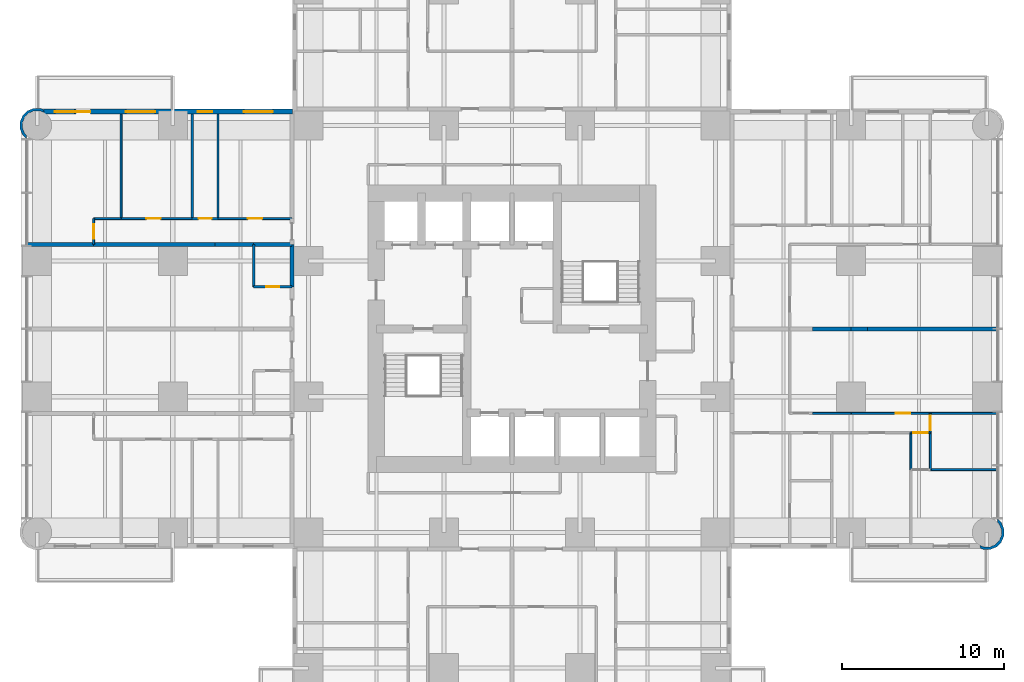
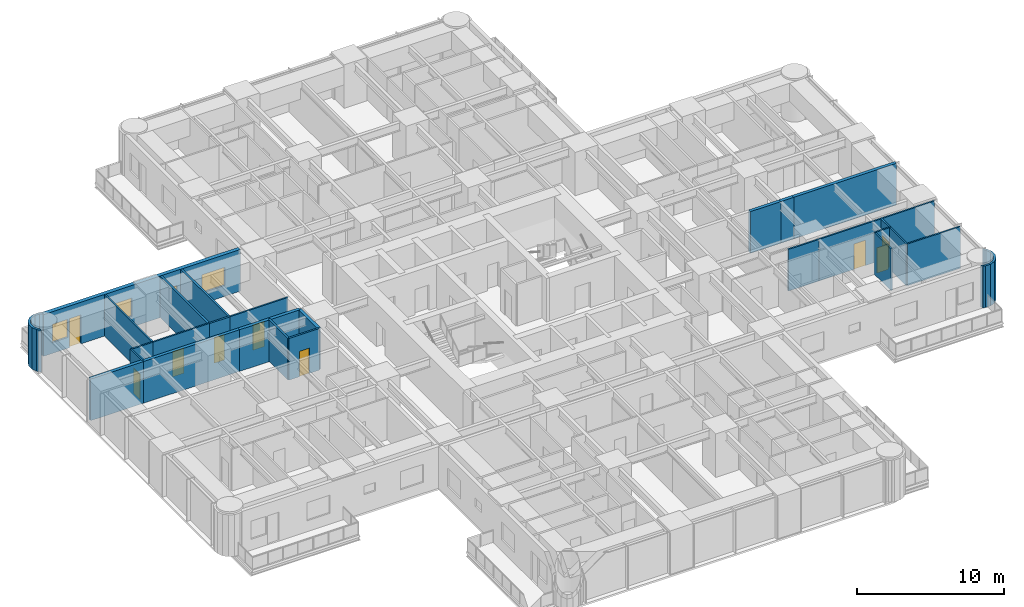
# One storey, part 11 of 17: 29 walls, 9 doors, 4 windows, 13 openings.
"""IFC4 building model written with IfcOpenShell, lengths in metres."""

import ifcopenshell
import ifcopenshell.guid

model = None  # the IFC model being written
_history = None  # IfcOwnerHistory: only IFC2X3 demands one
_inside = {}  # id of a spatial element -> (the spatial element, [elements in it])
_under = {}  # id of a project, library or spatial element -> (it, [spatial elements below it])
_declared = {}  # id of a project -> (the project, [libraries it declares])
_typed = {}  # id of a type object -> (the type object, [elements of that type])
_made_of = {}  # id of a material, layer set ... -> (it, [elements and type objects made of it])


def new_model(schema):
    """Start an empty IFC model of exactly this schema.

    Asked for "IFC4X3", IfcOpenShell would pick the latest addendum, in which some entities
    have other attributes; the version numbers below select the first issue.
    IFC2X3 requires an IfcOwnerHistory on every rooted entity: one is made here for all.
    """
    global model, _history
    if schema == "IFC4X3":
        model = ifcopenshell.file(schema_version=(4, 3, 0, 0))
    else:
        model = ifcopenshell.file(schema=schema)
    _inside.clear()
    _under.clear()
    _declared.clear()
    _typed.clear()
    _made_of.clear()
    _history = None
    if model.schema == "IFC2X3":
        org = make("IfcOrganization", Name="unknown")
        user = make(
            "IfcPersonAndOrganization",
            ThePerson=make("IfcPerson", FamilyName="unknown"),
            TheOrganization=org,
        )
        app = make(
            "IfcApplication",
            ApplicationDeveloper=org,
            Version="unknown",
            ApplicationFullName="unknown",
            ApplicationIdentifier="unknown",
        )
        _history = make(
            "IfcOwnerHistory",
            OwningUser=user,
            OwningApplication=app,
            ChangeAction="ADDED",
            CreationDate=0,
        )
    return model


def make(cls, **values):
    """One entity of the class cls with the attributes given. An attribute that is None is left unset."""
    return model.create_entity(
        cls, **{name: value for name, value in values.items() if value is not None}
    )


def rooted(cls, **values):
    """An entity with a GlobalId (a new one), such as an element, a storey or a relation."""
    return make(cls, GlobalId=ifcopenshell.guid.new(), OwnerHistory=_history, **values)


def si_unit(unit_type, name, prefix=None):
    """IfcSIUnit, for example si_unit("LENGTHUNIT", "METRE", prefix="MILLI")."""
    return make("IfcSIUnit", UnitType=unit_type, Prefix=prefix, Name=name)


def assignment(units):
    """IfcUnitAssignment: the units of a project."""
    return None if units is None else make("IfcUnitAssignment", Units=units)


def point(xyz):
    """IfcCartesianPoint."""
    return None if xyz is None else make("IfcCartesianPoint", Coordinates=xyz)


def direction(xyz):
    """IfcDirection."""
    return None if xyz is None else make("IfcDirection", DirectionRatios=xyz)


def frame(location, z_axis=None, x_axis=None):
    """IfcAxis2Placement3D, a coordinate frame: its origin and axes. An axis left out is left unset."""
    return make(
        "IfcAxis2Placement3D",
        Location=point(location),
        Axis=direction(z_axis),
        RefDirection=direction(x_axis),
    )


def frame_2d(location, x_axis=None):
    """IfcAxis2Placement2D, a coordinate frame in the plane: its origin and x axis."""
    return make(
        "IfcAxis2Placement2D", Location=point(location), RefDirection=direction(x_axis)
    )


def origin():
    """The frame at (0, 0, 0) with its axes left unset."""
    return frame((0.0, 0.0, 0.0))


def place(relative_to, where):
    """IfcLocalPlacement: puts the frame where relative to a parent placement (None: the world)."""
    return make(
        "IfcLocalPlacement", PlacementRelTo=relative_to, RelativePlacement=where
    )


def context(
    kind, dimensions, precision=None, world=None, true_north=None, identifier=None
):
    """IfcGeometricRepresentationContext, for example the 3D "Model" context."""
    return make(
        "IfcGeometricRepresentationContext",
        ContextIdentifier=identifier,
        ContextType=kind,
        CoordinateSpaceDimension=dimensions,
        Precision=precision,
        WorldCoordinateSystem=world,
        TrueNorth=true_north,
    )


def subcontext(parent, identifier, kind, view, scale=None):
    """IfcGeometricRepresentationSubContext, for example "Body" below "Model"."""
    return make(
        "IfcGeometricRepresentationSubContext",
        ContextIdentifier=identifier,
        ContextType=kind,
        ParentContext=parent,
        TargetScale=scale,
        TargetView=view,
    )


def project(units=None, contexts=None):
    """IfcProject with its units and contexts."""
    return rooted(
        "IfcProject",
        Name="project",
        RepresentationContexts=contexts,
        UnitsInContext=assignment(units),
    )


def spatial(cls, under=None, at=None, **own):
    """A site, building, storey or space (cls), placed at a placement, below another one or the project."""
    s = rooted(cls, ObjectPlacement=at, **own)
    if under is not None:
        _under.setdefault(under.id(), (under, []))[1].append(s)
    return s


def polyline(points):
    """IfcPolyline through the points."""
    return make("IfcPolyline", Points=[point(p) for p in points])


def profile(cls, at=None, kind="AREA", **sizes):
    """A parametric profile (cls). Its sizes go by their IFC names, for example OverallWidth=200.0."""
    return make(cls, ProfileType=kind, Position=at, **sizes)


def rectangle(**sizes):
    """IfcRectangleProfileDef."""
    return profile("IfcRectangleProfileDef", **sizes)


def outline(outer, holes=None, kind="AREA"):
    """IfcArbitraryClosedProfileDef: a profile drawn as a closed curve; with holes, ...WithVoids."""
    if holes is None:
        return make("IfcArbitraryClosedProfileDef", ProfileType=kind, OuterCurve=outer)
    return make(
        "IfcArbitraryProfileDefWithVoids",
        ProfileType=kind,
        OuterCurve=outer,
        InnerCurves=holes,
    )


def extrude(swept, where, along, depth):
    """IfcExtrudedAreaSolid: the profile swept, set in the frame where, extruded along a direction by depth."""
    return make(
        "IfcExtrudedAreaSolid",
        SweptArea=swept,
        Position=where,
        ExtrudedDirection=direction(along),
        Depth=depth,
    )


def shape(context_of_items, identifier, shape_type, items):
    """IfcShapeRepresentation: the items that make up one representation, for example the "Body"."""
    return make(
        "IfcShapeRepresentation",
        ContextOfItems=context_of_items,
        RepresentationIdentifier=identifier,
        RepresentationType=shape_type,
        Items=items,
    )


def material(Name=None, Category=None):
    """IfcMaterial."""
    return make("IfcMaterial", Name=Name, Category=Category)


def layer(
    of_material, thickness, ventilated=None, Name=None, Category=None, Priority=None
):
    """IfcMaterialLayer: one layer of a wall or slab, of a material (None: an air gap)."""
    return make(
        "IfcMaterialLayer",
        Material=of_material,
        LayerThickness=thickness,
        IsVentilated=ventilated,
        Name=Name,
        Category=Category,
        Priority=Priority,
    )


def layer_set(layers, Name=None):
    """IfcMaterialLayerSet."""
    return make("IfcMaterialLayerSet", MaterialLayers=layers, LayerSetName=Name)


def made_of(thing, what):
    """Note that an element or type object is made of a material, layer set ...; save() writes the relation."""
    if what is not None:
        _made_of.setdefault(what.id(), (what, []))[1].append(thing)
    return thing


def type_object(cls, material=None, **own):
    """A type object (cls), such as IfcWallType, which elements share."""
    return made_of(rooted(cls, **own), material)


def element(
    cls,
    number,
    at=None,
    inside=None,
    cuts=None,
    type_object=None,
    material=None,
    context=None,
    identifier="Body",
    shape_type=None,
    held_by="IfcProductDefinitionShape",
    body=None,
    shapes=None,
    **own,
):
    """One element of the class cls, such as IfcWall. Its Tag is "e" and its number.

    at: its placement. inside: the storey or other place that contains it. cuts: it is an
    opening in that element (IfcRelVoidsElement). A single representation is given by context,
    identifier, shape_type and body (its items); several are given by shapes. held_by: the class
    of the entity that holds the representations. save() writes the other relations.
    """
    e = rooted(cls, Tag="e%d" % number, ObjectPlacement=at, **own)
    if body is not None:
        shapes = [shape(context, identifier, shape_type, body)]
    if shapes is not None:
        e.Representation = make(held_by, Representations=shapes)
    if inside is not None:
        _inside.setdefault(inside.id(), (inside, []))[1].append(e)
    if cuts is not None:
        rooted(
            "IfcRelVoidsElement", RelatingBuildingElement=cuts, RelatedOpeningElement=e
        )
    if type_object is not None:
        _typed.setdefault(type_object.id(), (type_object, []))[1].append(e)
    return made_of(e, material)


def fill(opening, filler):
    """IfcRelFillsElement: the door or window that sits in an opening."""
    return rooted(
        "IfcRelFillsElement",
        RelatingOpeningElement=opening,
        RelatedBuildingElement=filler,
    )


def aggregate(whole, parts):
    """IfcRelAggregates: a whole, such as a stair, and the parts it consists of."""
    return rooted("IfcRelAggregates", RelatingObject=whole, RelatedObjects=parts)


def save(model, path):
    """Write the relations noted so far, then the file.

    IfcRelAggregates (storeys below a building ...), IfcRelContainedInSpatialStructure (elements
    in a storey), IfcRelDefinesByType, IfcRelAssociatesMaterial and IfcRelDeclares: one each for
    every whole, place, type object, material and project.
    """
    for whole, parts in _under.values():
        aggregate(whole, parts)
    for where, things in _inside.values():
        rooted(
            "IfcRelContainedInSpatialStructure",
            RelatedElements=things,
            RelatingStructure=where,
        )
    for kind, things in _typed.values():
        rooted("IfcRelDefinesByType", RelatedObjects=things, RelatingType=kind)
    for what, things in _made_of.values():
        rooted("IfcRelAssociatesMaterial", RelatedObjects=things, RelatingMaterial=what)
    for by, libraries in _declared.values():
        rooted("IfcRelDeclares", RelatingContext=by, RelatedDefinitions=libraries)
    model.write(path)


model = new_model("IFC4")

# Units and contexts
model_context = context("Model", 3, precision=1e-05, world=origin(), true_north=direction((0.0, 1.0)))
body_context = subcontext(model_context, "Body", "Model", "MODEL_VIEW")
ifc_project = project(units=[si_unit("LENGTHUNIT", "METRE"), si_unit("AREAUNIT", "SQUARE_METRE"), si_unit("VOLUMEUNIT", "CUBIC_METRE"), si_unit("PLANEANGLEUNIT", "RADIAN"), si_unit("MASSUNIT", "GRAM", prefix="KILO")], contexts=[model_context])

# Site, building, storey
site_placement = place(None, origin())
site = spatial("IfcSite", under=ifc_project, at=site_placement, CompositionType="ELEMENT")
building_placement = place(site_placement, origin())
building = spatial("IfcBuilding", under=site, at=building_placement, Name="Torre Alcanfor", CompositionType="ELEMENT")
storey_placement = place(building_placement, frame((0.0, 0.0, 77.699951171875)))
storey = spatial("IfcBuildingStorey", under=building, at=storey_placement, Name="L19", CompositionType="ELEMENT", Elevation=77.699951171875)

# Walls
ifc_material_1 = material(Name="Concrete block masonry, hollow blocks NMX-C-404 9 MPa", Category="masonry")
ifc_layer_1 = layer(ifc_material_1, 0.25)
ifc_layer_set_1 = layer_set([ifc_layer_1], Name="Apartment entrance wall 250 EI 60")
wall_type_1 = type_object("IfcWallType", Name="Apartment entrance wall 250 EI 60", PredefinedType="PARTITIONING", material=ifc_layer_set_1)
wall_1_placement = place(storey_placement, frame((15.77490234375, 32.0, 0.0), z_axis=(0.0, 0.0, 1.0), x_axis=(0.0, 1.0, 0.0)))
element("IfcWall", 1, at=wall_1_placement, inside=storey, type_object=wall_type_1, Name="Partition L19-CORR / L19-W2A-BATH", PredefinedType="PARTITIONING", context=body_context, shape_type="SweptSolid", body=[
    extrude(rectangle(XDim=2.62890625, YDim=0.25, at=frame_2d((1.314453125, 0.0))), origin(), (0.0, 0.0, 1.0), 3.449951171875),
])
ifc_material_2 = material(Name="Gypsum board on steel studs", Category="steel")
ifc_layer_2 = layer(ifc_material_2, 0.1201171875)
ifc_layer_set_2 = layer_set([ifc_layer_2], Name="Apartment partition 120")
wall_type_2 = type_object("IfcWallType", Name="Apartment partition 120", PredefinedType="PARTITIONING", material=ifc_layer_set_2)
wall_2_placement = place(storey_placement, frame((50.39990234375, 24.1708984375, 0.0), z_axis=(0.0, 0.0, 1.0), x_axis=(-1.0, 0.0, 0.0)))
element("IfcWall", 2, at=wall_2_placement, inside=storey, type_object=wall_type_2, Name="Partition L19-E2-KITCHEN / L19-E2-HALL", PredefinedType="PARTITIONING", context=body_context, shape_type="SweptSolid", body=[
    extrude(rectangle(XDim=2.39990234375, YDim=0.1201171875, at=frame_2d((1.199951171875, 0.0))), origin(), (0.0, 0.0, 1.0), 3.449951171875),
])

# Wall, opening, door
wall_3_placement = place(storey_placement, frame((55.300048828125, 24.1708984375, 0.0), z_axis=(0.0, 0.0, 1.0), x_axis=(-1.0, 0.0, 0.0)))
wall_3 = element("IfcWall", 3, at=wall_3_placement, inside=storey, type_object=wall_type_2, Name="Partition L19-E2-LIVING / L19-E2-HALL", PredefinedType="PARTITIONING", context=body_context, shape_type="SweptSolid", body=[
    extrude(rectangle(XDim=4.900146484375, YDim=0.1201171875, at=frame_2d((2.4501953125, 0.0))), origin(), (0.0, 0.0, 1.0), 3.449951171875),
])
opening_1_placement = place(wall_3_placement, frame((1.25, 0.0, 0.0)))
opening_1 = element("IfcOpeningElement", 4, at=opening_1_placement, cuts=wall_3, Name="Opening D-R1", PredefinedType="OPENING", context=body_context, shape_type="SweptSolid", body=[
    extrude(rectangle(XDim=0.89990234375, YDim=2.10009765625, at=frame_2d((0.449951171875, 1.050048828125))), frame((0.0, 0.070068359375, 0.0), z_axis=(0.0, -1.0, 0.0), x_axis=(1.0, 0.0, 0.0)), (0.0, 0.0, 1.0), 0.14013671875),
])
ifc_material_3 = material(Name="Timber", Category="wood")
door_type_1 = type_object("IfcDoorType", Name="Internal door 900x2100", OperationType="SINGLE_SWING_LEFT", PredefinedType="DOOR", material=ifc_material_3)
door_1_placement = place(opening_1_placement, frame((0.89990234375, 0.0, 0.0), z_axis=(0.0, 0.0, 1.0), x_axis=(-1.0, 0.0, 0.0)))
door_1 = element("IfcDoor", 5, at=door_1_placement, inside=storey, type_object=door_type_1, Name="Door L19-E2 living", OperationType="SINGLE_SWING_LEFT", OverallHeight=2.10009765625, OverallWidth=0.89990234375, PredefinedType="DOOR", context=body_context, shape_type="SweptSolid", body=[
    extrude(rectangle(XDim=0.89990234375, YDim=2.10009765625, at=frame_2d((0.449951171875, 1.050048828125))), frame((0.0, 0.025146484375, 0.0), z_axis=(0.0, -1.0, 0.0), x_axis=(1.0, 0.0, 0.0)), (0.0, 0.0, 1.0), 0.050048828125),
])
fill(opening_1, door_1)

# Wall
wall_4_placement = place(storey_placement, frame((59.449951171875, 24.1708984375, 0.0), z_axis=(0.0, 0.0, 1.0), x_axis=(-1.0, 0.0, 0.0)))
element("IfcWall", 6, at=wall_4_placement, inside=storey, type_object=wall_type_2, Name="Partition L19-E2-LIVING / L19-E2-BED2", PredefinedType="PARTITIONING", context=body_context, shape_type="SweptSolid", body=[
    extrude(rectangle(XDim=4.14990234375, YDim=0.1201171875, at=frame_2d((2.074951171875, 0.0))), origin(), (0.0, 0.0, 1.0), 3.449951171875),
])

# Wall, opening, door
wall_5_placement = place(storey_placement, frame((55.300048828125, 22.970947265625, 0.0), z_axis=(0.0, 0.0, 1.0), x_axis=(-1.0, 0.0, 0.0)))
wall_5 = element("IfcWall", 7, at=wall_5_placement, inside=storey, type_object=wall_type_2, Name="Partition L19-E2-HALL / L19-E2-VEST", PredefinedType="PARTITIONING", context=body_context, shape_type="SweptSolid", body=[
    extrude(rectangle(XDim=1.199951171875, YDim=0.1201171875, at=frame_2d((0.60009765625, 0.0))), origin(), (0.0, 0.0, 1.0), 3.449951171875),
])
opening_2_placement = place(wall_5_placement, frame((0.14990234375, 0.0, 0.0)))
opening_2 = element("IfcOpeningElement", 8, at=opening_2_placement, cuts=wall_5, Name="Opening D-R1", PredefinedType="OPENING", context=body_context, shape_type="SweptSolid", body=[
    extrude(rectangle(XDim=0.89990234375, YDim=2.10009765625, at=frame_2d((0.449951171875, 1.050048828125))), frame((0.0, 0.070068359375, 0.0), z_axis=(0.0, -1.0, 0.0), x_axis=(1.0, 0.0, 0.0)), (0.0, 0.0, 1.0), 0.14013671875),
])
door_2_placement = place(opening_2_placement, origin())
door_2 = element("IfcDoor", 9, at=door_2_placement, inside=storey, type_object=door_type_1, Name="Door L19-E2 vest", OperationType="SINGLE_SWING_LEFT", OverallHeight=2.10009765625, OverallWidth=0.89990234375, PredefinedType="DOOR", context=body_context, shape_type="SweptSolid", body=[
    extrude(rectangle(XDim=0.89990234375, YDim=2.10009765625, at=frame_2d((0.449951171875, 1.050048828125))), frame((0.0, 0.02490234375, 0.0), z_axis=(0.0, -1.0, 0.0), x_axis=(1.0, 0.0, 0.0)), (0.0, 0.0, 1.0), 0.050048828125),
])
fill(opening_2, door_2)

wall_6_placement = place(storey_placement, frame((55.300048828125, 24.1708984375, 0.0), z_axis=(0.0, 0.0, 1.0), x_axis=(0.0, -1.0, 0.0)))
wall_6 = element("IfcWall", 10, at=wall_6_placement, inside=storey, type_object=wall_type_2, Name="Partition L19-E2-HALL / L19-E2-BED2", PredefinedType="PARTITIONING", context=body_context, shape_type="SweptSolid", body=[
    extrude(rectangle(XDim=1.199951171875, YDim=0.1201171875, at=frame_2d((0.60009765625, 0.0))), origin(), (0.0, 0.0, 1.0), 3.449951171875),
])
opening_3_placement = place(wall_6_placement, frame((0.15087890625, 0.0, 0.0)))
opening_3 = element("IfcOpeningElement", 11, at=opening_3_placement, cuts=wall_6, Name="Opening D-R1", PredefinedType="OPENING", context=body_context, shape_type="SweptSolid", body=[
    extrude(rectangle(XDim=0.89990234375, YDim=2.10009765625, at=frame_2d((0.449951171875, 1.050048828125))), frame((0.0, 0.070068359375, 0.0), z_axis=(0.0, -1.0, 0.0), x_axis=(1.0, 0.0, 0.0)), (0.0, 0.0, 1.0), 0.14013671875),
])
door_3_placement = place(opening_3_placement, origin())
door_3 = element("IfcDoor", 12, at=door_3_placement, inside=storey, type_object=door_type_1, Name="Door L19-E2 bed2", OperationType="SINGLE_SWING_LEFT", OverallHeight=2.10009765625, OverallWidth=0.89990234375, PredefinedType="DOOR", context=body_context, shape_type="SweptSolid", body=[
    extrude(rectangle(XDim=0.89990234375, YDim=2.10009765625, at=frame_2d((0.449951171875, 1.050048828125))), frame((0.0, 0.02490234375, 0.0), z_axis=(0.0, -1.0, 0.0), x_axis=(1.0, 0.0, 0.0)), (0.0, 0.0, 1.0), 0.050048828125),
])
fill(opening_3, door_3)

# Walls
for number, where, z_axis, x_axis, name in (
    (13, (54.10009765625, 22.970947265625, 0.0), (0.0, 0.0, 1.0), (0.0, -1.0, 0.0), "Partition L19-E2-BED3 / L19-E2-VEST"),
    (14, (55.300048828125, 22.970947265625, 0.0), (0.0, 0.0, 1.0), (0.0, -1.0, 0.0), "Partition L19-E2-VEST / L19-E2-BED2"),
):
    element("IfcWall", number, at=place(storey_placement, frame(where, z_axis=z_axis, x_axis=x_axis)), inside=storey, type_object=wall_type_2, Name=name, PredefinedType="PARTITIONING", context=body_context, shape_type="SweptSolid", body=[
        extrude(rectangle(XDim=2.284912109375, YDim=0.1201171875, at=frame_2d((1.142578125, 0.0))), origin(), (0.0, 0.0, 1.0), 3.449951171875),
    ])
wall_7_placement = place(storey_placement, frame((59.449951171875, 20.68603515625, 0.0), z_axis=(0.0, 0.0, 1.0), x_axis=(-1.0, 0.0, 0.0)))
element("IfcWall", 15, at=wall_7_placement, inside=storey, type_object=wall_type_2, Name="Partition L19-E2-BED2 / L19-E2-MASTER", PredefinedType="PARTITIONING", context=body_context, shape_type="SweptSolid", body=[
    extrude(rectangle(XDim=4.14990234375, YDim=0.1201171875, at=frame_2d((2.074951171875, 0.0))), origin(), (0.0, 0.0, 1.0), 3.449951171875),
])

# Wall, opening, door
wall_8_placement = place(storey_placement, frame((11.199951171875, 36.22900390625, 0.0), z_axis=(0.0, 0.0, 1.0), x_axis=(1.0, 0.0, 0.0)))
wall_8 = element("IfcWall", 16, at=wall_8_placement, inside=storey, type_object=wall_type_2, Name="Partition L19-W2B-HALL / L19-W2B-MASTER", PredefinedType="PARTITIONING", context=body_context, shape_type="SweptSolid", body=[
    extrude(rectangle(XDim=4.574951171875, YDim=0.1201171875, at=frame_2d((2.28759765625, 0.0))), origin(), (0.0, 0.0, 1.0), 3.449951171875),
])
opening_4_placement = place(wall_8_placement, frame((1.85009765625, 0.0, 0.0)))
opening_4 = element("IfcOpeningElement", 17, at=opening_4_placement, cuts=wall_8, Name="Opening D-R1", PredefinedType="OPENING", context=body_context, shape_type="SweptSolid", body=[
    extrude(rectangle(XDim=0.89990234375, YDim=2.10009765625, at=frame_2d((0.449951171875, 1.050048828125))), frame((0.0, 0.070068359375, 0.0), z_axis=(0.0, -1.0, 0.0), x_axis=(1.0, 0.0, 0.0)), (0.0, 0.0, 1.0), 0.14013671875),
])
door_4_placement = place(opening_4_placement, origin())
door_4 = element("IfcDoor", 18, at=door_4_placement, inside=storey, type_object=door_type_1, Name="Door L19-W2B master", OperationType="SINGLE_SWING_RIGHT", OverallHeight=2.10009765625, OverallWidth=0.89990234375, PredefinedType="DOOR", context=body_context, shape_type="SweptSolid", body=[
    extrude(rectangle(XDim=0.89990234375, YDim=2.10009765625, at=frame_2d((0.449951171875, 1.050048828125))), frame((0.0, 0.02490234375, 0.0), z_axis=(0.0, -1.0, 0.0), x_axis=(1.0, 0.0, 0.0)), (0.0, 0.0, 1.0), 0.050048828125),
])
fill(opening_4, door_4)

wall_9_placement = place(storey_placement, frame((5.199951171875, 36.22900390625, 0.0), z_axis=(0.0, 0.0, 1.0), x_axis=(1.0, 0.0, 0.0)))
wall_9 = element("IfcWall", 19, at=wall_9_placement, inside=storey, type_object=wall_type_2, Name="Partition L19-W2B-HALL / L19-W2B-STUDY", PredefinedType="PARTITIONING", context=body_context, shape_type="SweptSolid", body=[
    extrude(rectangle(XDim=4.400146484375, YDim=0.1201171875, at=frame_2d((2.2001953125, 0.0))), origin(), (0.0, 0.0, 1.0), 3.449951171875),
])
opening_5_placement = place(wall_9_placement, frame((1.550048828125, 0.0, 0.0)))
opening_5 = element("IfcOpeningElement", 20, at=opening_5_placement, cuts=wall_9, Name="Opening D-R1", PredefinedType="OPENING", context=body_context, shape_type="SweptSolid", body=[
    extrude(rectangle(XDim=0.89990234375, YDim=2.10009765625, at=frame_2d((0.449951171875, 1.050048828125))), frame((0.0, 0.070068359375, 0.0), z_axis=(0.0, -1.0, 0.0), x_axis=(1.0, 0.0, 0.0)), (0.0, 0.0, 1.0), 0.14013671875),
])
door_5_placement = place(opening_5_placement, origin())
door_5 = element("IfcDoor", 21, at=door_5_placement, inside=storey, type_object=door_type_1, Name="Door L19-W2B study", OperationType="SINGLE_SWING_LEFT", OverallHeight=2.10009765625, OverallWidth=0.89990234375, PredefinedType="DOOR", context=body_context, shape_type="SweptSolid", body=[
    extrude(rectangle(XDim=0.89990234375, YDim=2.10009765625, at=frame_2d((0.449951171875, 1.050048828125))), frame((0.0, 0.02490234375, 0.0), z_axis=(0.0, -1.0, 0.0), x_axis=(1.0, 0.0, 0.0)), (0.0, 0.0, 1.0), 0.050048828125),
])
fill(opening_5, door_5)

# Wall
wall_10_placement = place(storey_placement, frame((3.5, 36.22900390625, 0.0), z_axis=(0.0, 0.0, 1.0), x_axis=(1.0, 0.0, 0.0)))
element("IfcWall", 22, at=wall_10_placement, inside=storey, type_object=wall_type_2, Name="Partition L19-W2B-HALL / L19-W2B-KITCHEN", PredefinedType="PARTITIONING", context=body_context, shape_type="SweptSolid", body=[
    extrude(rectangle(XDim=1.699951171875, YDim=0.1201171875, at=frame_2d((0.85009765625, 0.0))), origin(), (0.0, 0.0, 1.0), 3.449951171875),
])

# Wall, opening, door
wall_11_placement = place(storey_placement, frame((3.5, 34.62890625, 0.0), z_axis=(0.0, 0.0, 1.0), x_axis=(0.0, 1.0, 0.0)))
wall_11 = element("IfcWall", 23, at=wall_11_placement, inside=storey, type_object=wall_type_2, Name="Partition L19-W2B-HALL / L19-W2B-LIVING", PredefinedType="PARTITIONING", context=body_context, shape_type="SweptSolid", body=[
    extrude(rectangle(XDim=1.60009765625, YDim=0.1201171875, at=frame_2d((0.800048828125, 0.0))), origin(), (0.0, 0.0, 1.0), 3.449951171875),
])
opening_6_placement = place(wall_11_placement, frame((0.35009765625, 0.0, 0.0)))
opening_6 = element("IfcOpeningElement", 24, at=opening_6_placement, cuts=wall_11, Name="Opening D-R1", PredefinedType="OPENING", context=body_context, shape_type="SweptSolid", body=[
    extrude(rectangle(XDim=0.89990234375, YDim=2.10009765625, at=frame_2d((0.449951171875, 1.050048828125))), frame((0.0, 0.070068359375, 0.0), z_axis=(0.0, -1.0, 0.0), x_axis=(1.0, 0.0, 0.0)), (0.0, 0.0, 1.0), 0.14013671875),
])
door_6_placement = place(opening_6_placement, origin())
door_6 = element("IfcDoor", 25, at=door_6_placement, inside=storey, type_object=door_type_1, Name="Door L19-W2B living", OperationType="SINGLE_SWING_LEFT", OverallHeight=2.10009765625, OverallWidth=0.89990234375, PredefinedType="DOOR", context=body_context, shape_type="SweptSolid", body=[
    extrude(rectangle(XDim=0.89990234375, YDim=2.10009765625, at=frame_2d((0.449951171875, 1.050048828125))), frame((0.0, 0.02490234375, 0.0), z_axis=(0.0, -1.0, 0.0), x_axis=(1.0, 0.0, 0.0)), (0.0, 0.0, 1.0), 0.050048828125),
])
fill(opening_6, door_6)

# Wall
wall_12_placement = place(storey_placement, frame((5.199951171875, 36.22900390625, 0.0), z_axis=(0.0, 0.0, 1.0), x_axis=(0.0, 1.0, 0.0)))
element("IfcWall", 26, at=wall_12_placement, inside=storey, type_object=wall_type_2, Name="Partition L19-W2B-STUDY / L19-W2B-KITCHEN", PredefinedType="PARTITIONING", context=body_context, shape_type="SweptSolid", body=[
    extrude(rectangle(XDim=6.470947265625, YDim=0.1201171875, at=frame_2d((3.2353515625, 0.0))), origin(), (0.0, 0.0, 1.0), 3.449951171875),
])

# Wall, openings, door, windows
ifc_material_4 = material(Name="Limestone cladding", Category="masonry")
ifc_layer_3 = layer(ifc_material_4, 0.0400390625, Name="Facing")
ifc_material_5 = material(Name="Ventilated air cavity")
ifc_layer_4 = layer(ifc_material_5, 0.02001953125, ventilated=True, Name="Ventilated joint")
ifc_material_6 = material(Name="Mineral wool insulation", Category="insulation")
ifc_layer_5 = layer(ifc_material_6, 0.10009765625, Name="Insulation")
ifc_material_7 = material(Name="Concrete f'c 35 MPa", Category="concrete")
ifc_layer_6 = layer(ifc_material_7, 0.139892578125, Name="Backing")
ifc_layer_set_3 = layer_set([ifc_layer_3, ifc_layer_4, ifc_layer_5, ifc_layer_6], Name="External wall stone-clad 300")
wall_type_3 = type_object("IfcWallType", Name="External wall stone-clad 300", PredefinedType="SOLIDWALL", material=ifc_layer_set_3)
wall_13_placement = place(storey_placement, frame((15.800048828125, 42.85009765625, 0.0), z_axis=(0.0, 0.0, 1.0), x_axis=(-1.0, 0.0, 0.0)))
wall_13 = element("IfcWall", 27, at=wall_13_placement, inside=storey, type_object=wall_type_3, Name="External wall L19 1", PredefinedType="SOLIDWALL", context=body_context, shape_type="SweptSolid", body=[
    extrude(rectangle(XDim=15.400146484375, YDim=0.300048828125, at=frame_2d((7.7001953125, 0.0))), origin(), (0.0, 0.0, 1.0), 3.449951171875),
])
opening_7_placement = place(wall_13_placement, frame((1.199951171875, 0.0, 0.89990234375)))
opening_7 = element("IfcOpeningElement", 28, at=opening_7_placement, cuts=wall_13, Name="Opening W2", PredefinedType="OPENING", context=body_context, shape_type="SweptSolid", body=[
    extrude(rectangle(XDim=1.800048828125, YDim=1.5, at=frame_2d((0.89990234375, 0.75))), frame((0.0, 0.159912109375, 0.0), z_axis=(0.0, -1.0, 0.0), x_axis=(1.0, 0.0, 0.0)), (0.0, 0.0, 1.0), 0.320068359375),
])
opening_8_placement = place(wall_13_placement, frame((4.949951171875, 0.0, 1.5)))
opening_8 = element("IfcOpeningElement", 29, at=opening_8_placement, cuts=wall_13, Name="Opening W3", PredefinedType="OPENING", context=body_context, shape_type="SweptSolid", body=[
    extrude(rectangle(XDim=0.89990234375, YDim=0.699951171875, at=frame_2d((0.449951171875, 0.35009765625))), frame((0.0, 0.159912109375, 0.0), z_axis=(0.0, -1.0, 0.0), x_axis=(1.0, 0.0, 0.0)), (0.0, 0.0, 1.0), 0.320068359375),
])
opening_9_placement = place(wall_13_placement, frame((8.5, 0.0, 0.89990234375)))
opening_9 = element("IfcOpeningElement", 30, at=opening_9_placement, cuts=wall_13, Name="Opening W2", PredefinedType="OPENING", context=body_context, shape_type="SweptSolid", body=[
    extrude(rectangle(XDim=1.800048828125, YDim=1.5, at=frame_2d((0.89990234375, 0.75))), frame((0.0, 0.159912109375, 0.0), z_axis=(0.0, -1.0, 0.0), x_axis=(1.0, 0.0, 0.0)), (0.0, 0.0, 1.0), 0.320068359375),
])
opening_10_placement = place(wall_13_placement, frame((12.5, 0.0, 0.0)))
opening_10 = element("IfcOpeningElement", 31, at=opening_10_placement, cuts=wall_13, Name="Opening D-B1", PredefinedType="OPENING", context=body_context, shape_type="SweptSolid", body=[
    extrude(rectangle(XDim=0.89990234375, YDim=2.39990234375, at=frame_2d((0.449951171875, 1.199951171875))), frame((0.0, 0.159912109375, 0.0), z_axis=(0.0, -1.0, 0.0), x_axis=(1.0, 0.0, 0.0)), (0.0, 0.0, 1.0), 0.320068359375),
])
opening_11_placement = place(wall_13_placement, frame((13.5, 0.0, 0.89990234375)))
opening_11 = element("IfcOpeningElement", 32, at=opening_11_placement, cuts=wall_13, Name="Opening W4", PredefinedType="OPENING", context=body_context, shape_type="SweptSolid", body=[
    extrude(rectangle(XDim=1.199951171875, YDim=1.5, at=frame_2d((0.60009765625, 0.75))), frame((0.0, 0.159912109375, 0.0), z_axis=(0.0, -1.0, 0.0), x_axis=(1.0, 0.0, 0.0)), (0.0, 0.0, 1.0), 0.320068359375),
])
ifc_material_8 = material(Name="Aluminium and glass", Category="aluminium")
door_type_2 = type_object("IfcDoorType", Name="Balcony door glazed 900x2400", OperationType="SINGLE_SWING_LEFT", PredefinedType="DOOR", material=ifc_material_8)
door_7_placement = place(opening_10_placement, origin())
door_7 = element("IfcDoor", 33, at=door_7_placement, inside=storey, type_object=door_type_2, Name="Balcony door L19-W2", OperationType="SINGLE_SWING_LEFT", OverallHeight=2.39990234375, OverallWidth=0.89990234375, PredefinedType="DOOR", context=body_context, shape_type="SweptSolid", body=[
    extrude(rectangle(XDim=0.89990234375, YDim=2.39990234375, at=frame_2d((0.449951171875, 1.199951171875))), frame((0.0, 0.02490234375, 0.0), z_axis=(0.0, -1.0, 0.0), x_axis=(1.0, 0.0, 0.0)), (0.0, 0.0, 1.0), 0.050048828125),
])
fill(opening_10, door_7)
ifc_material_9 = material(Name="Aluminium frame with clear double glazing", Category="aluminium")
window_type_1 = type_object("IfcWindowType", Name="Window bathroom 900x700", PartitioningType="SINGLE_PANEL", PredefinedType="WINDOW", material=ifc_material_9)
window_1_placement = place(opening_8_placement, origin())
window_1 = element("IfcWindow", 34, at=window_1_placement, inside=storey, type_object=window_type_1, Name="Window W3 L19-W2", OverallHeight=0.699951171875, OverallWidth=0.89990234375, PartitioningType="SINGLE_PANEL", PredefinedType="WINDOW", context=body_context, shape_type="SweptSolid", body=[
    extrude(rectangle(XDim=0.89990234375, YDim=0.699951171875, at=frame_2d((0.449951171875, 0.35009765625))), frame((0.0, 0.030029296875, 0.0), z_axis=(0.0, -1.0, 0.0), x_axis=(1.0, 0.0, 0.0)), (0.0, 0.0, 1.0), 0.06005859375),
])
fill(opening_8, window_1)
ifc_material_10 = material(Name="Aluminium frame with clear double glazing", Category="aluminium")
window_type_2 = type_object("IfcWindowType", Name="Window bedroom 1200x1500", PartitioningType="SINGLE_PANEL", PredefinedType="WINDOW", material=ifc_material_10)
window_2_placement = place(opening_11_placement, origin())
window_2 = element("IfcWindow", 35, at=window_2_placement, inside=storey, type_object=window_type_2, Name="Window W4 L19-W2", OverallHeight=1.5, OverallWidth=1.199951171875, PartitioningType="SINGLE_PANEL", PredefinedType="WINDOW", context=body_context, shape_type="SweptSolid", body=[
    extrude(rectangle(XDim=1.199951171875, YDim=1.5, at=frame_2d((0.60009765625, 0.75))), frame((0.0, 0.030029296875, 0.0), z_axis=(0.0, -1.0, 0.0), x_axis=(1.0, 0.0, 0.0)), (0.0, 0.0, 1.0), 0.06005859375),
])
fill(opening_11, window_2)
ifc_material_11 = material(Name="Aluminium frame with clear double glazing", Category="aluminium")
window_type_3 = type_object("IfcWindowType", Name="Window bedroom 1800x1500", PartitioningType="SINGLE_PANEL", PredefinedType="WINDOW", material=ifc_material_11)
window_3_placement = place(opening_7_placement, origin())
window_3 = element("IfcWindow", 36, at=window_3_placement, inside=storey, type_object=window_type_3, Name="Window W2 L19-W2", OverallHeight=1.5, OverallWidth=1.800048828125, PartitioningType="SINGLE_PANEL", PredefinedType="WINDOW", context=body_context, shape_type="SweptSolid", body=[
    extrude(rectangle(XDim=1.800048828125, YDim=1.5, at=frame_2d((0.89990234375, 0.75))), frame((0.0, 0.030029296875, 0.0), z_axis=(0.0, -1.0, 0.0), x_axis=(1.0, 0.0, 0.0)), (0.0, 0.0, 1.0), 0.06005859375),
])
fill(opening_7, window_3)
window_4_placement = place(opening_9_placement, origin())
window_4 = element("IfcWindow", 37, at=window_4_placement, inside=storey, type_object=window_type_3, Name="Window W2 L19-W2", OverallHeight=1.5, OverallWidth=1.800048828125, PartitioningType="SINGLE_PANEL", PredefinedType="WINDOW", context=body_context, shape_type="SweptSolid", body=[
    extrude(rectangle(XDim=1.800048828125, YDim=1.5, at=frame_2d((0.89990234375, 0.75))), frame((0.0, 0.030029296875, 0.0), z_axis=(0.0, -1.0, 0.0), x_axis=(1.0, 0.0, 0.0)), (0.0, 0.0, 1.0), 0.06005859375),
])
fill(opening_9, window_4)

# Walls
ifc_material_12 = material(Name="Concrete block masonry, hollow blocks NMX-C-404 9 MPa", Category="masonry")
ifc_layer_7 = layer(ifc_material_12, 0.25)
ifc_layer_set_4 = layer_set([ifc_layer_7], Name="Party wall 250 EI 60")
wall_type_4 = type_object("IfcWallType", Name="Party wall 250 EI 60", PredefinedType="PARTITIONING", material=ifc_layer_set_4)
wall_14_placement = place(storey_placement, frame((48.0, 29.39990234375, 0.0), z_axis=(0.0, 0.0, 1.0), x_axis=(1.0, 0.0, 0.0)))
element("IfcWall", 38, at=wall_14_placement, inside=storey, type_object=wall_type_4, Name="Partition L19-E1-KITCHEN / L19-E2-KITCHEN", PredefinedType="PARTITIONING", context=body_context, shape_type="SweptSolid", body=[
    extrude(rectangle(XDim=2.39990234375, YDim=0.25, at=frame_2d((1.199951171875, 0.0))), origin(), (0.0, 0.0, 1.0), 3.449951171875),
])
wall_15_placement = place(storey_placement, frame((50.39990234375, 29.39990234375, 0.0), z_axis=(0.0, 0.0, 1.0), x_axis=(1.0, 0.0, 0.0)))
element("IfcWall", 39, at=wall_15_placement, inside=storey, type_object=wall_type_4, Name="Partition L19-E1-KITCHEN / L19-E2-LIVING", PredefinedType="PARTITIONING", context=body_context, shape_type="SweptSolid", body=[
    extrude(rectangle(XDim=1.0, YDim=0.25, at=frame_2d((0.5, 0.0))), origin(), (0.0, 0.0, 1.0), 3.449951171875),
])
wall_16_placement = place(storey_placement, frame((51.39990234375, 29.39990234375, 0.0), z_axis=(0.0, 0.0, 1.0), x_axis=(1.0, 0.0, 0.0)))
element("IfcWall", 40, at=wall_16_placement, inside=storey, type_object=wall_type_4, Name="Partition L19-E1-LIVING / L19-E2-LIVING", PredefinedType="PARTITIONING", context=body_context, shape_type="SweptSolid", body=[
    extrude(rectangle(XDim=8.050048828125, YDim=0.25, at=frame_2d((4.02490234375, 0.0))), origin(), (0.0, 0.0, 1.0), 3.449951171875),
])
wall_17_placement = place(storey_placement, frame((13.39990234375, 34.62890625, 0.0), z_axis=(0.0, 0.0, 1.0), x_axis=(1.0, 0.0, 0.0)))
element("IfcWall", 41, at=wall_17_placement, inside=storey, type_object=wall_type_4, Name="Partition L19-W2A-BATH / L19-W2B-HALL", PredefinedType="PARTITIONING", context=body_context, shape_type="SweptSolid", body=[
    extrude(rectangle(XDim=2.375, YDim=0.25, at=frame_2d((1.1875, 0.0))), origin(), (0.0, 0.0, 1.0), 3.449951171875),
])
wall_18_placement = place(storey_placement, frame((11.0, 34.62890625, 0.0), z_axis=(0.0, 0.0, 1.0), x_axis=(1.0, 0.0, 0.0)))
element("IfcWall", 42, at=wall_18_placement, inside=storey, type_object=wall_type_4, Name="Partition L19-W2A-KITCHEN / L19-W2B-HALL", PredefinedType="PARTITIONING", context=body_context, shape_type="SweptSolid", body=[
    extrude(rectangle(XDim=2.39990234375, YDim=0.25, at=frame_2d((1.199951171875, 0.0))), origin(), (0.0, 0.0, 1.0), 3.449951171875),
])
wall_19_placement = place(storey_placement, frame((3.5, 34.62890625, 0.0), z_axis=(0.0, 0.0, 1.0), x_axis=(1.0, 0.0, 0.0)))
element("IfcWall", 43, at=wall_19_placement, inside=storey, type_object=wall_type_4, Name="Partition L19-W2A-STUDIO / L19-W2B-HALL", PredefinedType="PARTITIONING", context=body_context, shape_type="SweptSolid", body=[
    extrude(rectangle(XDim=7.5, YDim=0.25, at=frame_2d((3.75, 0.0))), origin(), (0.0, 0.0, 1.0), 3.449951171875),
])
wall_20_placement = place(storey_placement, frame((-0.64990234375, 34.62890625, 0.0), z_axis=(0.0, 0.0, 1.0), x_axis=(1.0, 0.0, 0.0)))
element("IfcWall", 44, at=wall_20_placement, inside=storey, type_object=wall_type_4, Name="Partition L19-W2A-STUDIO / L19-W2B-LIVING", PredefinedType="PARTITIONING", context=body_context, shape_type="SweptSolid", body=[
    extrude(rectangle(XDim=4.14990234375, YDim=0.25, at=frame_2d((2.074951171875, 0.0))), origin(), (0.0, 0.0, 1.0), 3.449951171875),
])
ifc_layer_8 = layer(ifc_material_4, 0.0400390625, Name="Facing")
ifc_layer_9 = layer(ifc_material_5, 0.02001953125, ventilated=True, Name="Ventilated joint")
ifc_layer_10 = layer(ifc_material_6, 0.10009765625, Name="Insulation")
ifc_layer_11 = layer(ifc_material_7, 0.139892578125, Name="Backing")
ifc_layer_set_5 = layer_set([ifc_layer_8, ifc_layer_9, ifc_layer_10, ifc_layer_11], Name="Rounded corner pier stone-clad 300")
wall_type_5 = type_object("IfcWallType", Name="Rounded corner pier stone-clad 300", PredefinedType="SOLIDWALL", material=ifc_layer_set_5)
wall_21_placement = place(storey_placement, frame((0.363962863, 42.909907157, 0.0), z_axis=(0.0, 0.0, 1.0), x_axis=(-0.926129809145, 0.377204953059, 0.0)))
element("IfcWall", 45, at=wall_21_placement, inside=storey, type_object=wall_type_5, Name="Corner pier L19 13", PredefinedType="SOLIDWALL", context=body_context, shape_type="SweptSolid", body=[
    extrude(outline(polyline([(0.36027248147905344, 1.8032799323574271), (0.5087783723473315, 1.740921099842025), (0.7605913470133172, 1.4857584601095954), (0.8957810128069955, 1.1538349835897281), (0.8939031559639274, 0.7953461823991875), (0.7547957339381889, 0.4650577343600455), (0.4996330942057594, 0.21324475969405968), (0.1677096176858921, 0.07805509390038129), (-0.09992182078970525, 0.07950523369113624), (0.0006988421670046999, -0.09699421764222865), (0.0300177129428464, -0.08030783699434613), (0.19858532179107968, -0.08124570553990346), (0.5888441232034033, 0.0777034519259609), (0.8888369702307105, 0.374136779300854), (1.052603126025944, 0.7629734686109036), (1.0550818122472803, 1.1847106876949156), (0.8961326547814159, 1.5749694891072394), (0.7776866026168303, 1.6949130219751851), (0.7691400347446393, 1.7275471706587737), (0.7502646662372825, 1.7227591424871238), (0.599699327406523, 1.8749623361345464), (0.2945484394782597, 2.0034825844222954), (0.2809820848521072, 1.9979571212427172), (0.36027248147905344, 1.8032799323574271)])), origin(), (0.0, 0.0, 1.0), 3.449951171875),
])
wall_22_placement = place(storey_placement, frame((58.436037137, 15.890092843, 0.0), z_axis=(0.0, 0.0, 1.0), x_axis=(0.926129809145, -0.377204953059, 0.0)))
element("IfcWall", 46, at=wall_22_placement, inside=storey, type_object=wall_type_5, Name="Corner pier L19 17", PredefinedType="SOLIDWALL", context=body_context, shape_type="SweptSolid", body=[
    extrude(outline(polyline([(0.769166837716128, 1.7276108100514604), (0.7500653632983351, 1.7227306908268178), (0.5995000244675756, 1.8749338844742405), (0.2945752424497483, 2.003546223814982), (0.2810088878235957, 1.9980207606354041), (0.36029928445054193, 1.803343571750114), (0.5086711604613772, 1.740666542271283), (0.7606181499848057, 1.4858220995022824), (0.8958078157784841, 1.153898622982415), (0.8937038530249802, 0.7953177307388815), (0.7545964309992416, 0.4650292826997394), (0.49975198823024103, 0.21308229317631072), (0.16782851171037358, 0.07789262738263233), (-0.0998950178182167, 0.07956887308382314), (0.0004995392280573718, -0.09702266930253471), (0.03004451591433495, -0.08024419760165923), (0.19838601885213236, -0.08127415720020953), (0.5888709261748919, 0.07776709131864781), (0.888863773202199, 0.37420041869354087), (1.0524038230869968, 0.7629450169505976), (1.0552007062717619, 1.1845482211771667), (0.8961594577529046, 1.5750331284999262), (0.777713405588319, 1.694976661367872), (0.769166837716128, 1.7276108100514604)])), origin(), (0.0, 0.0, 1.0), 3.449951171875),
])

# Wall, opening, door
ifc_material_13 = material(Name="Cement board on steel studs", Category="steel")
ifc_layer_12 = layer(ifc_material_13, 0.14990234375)
ifc_layer_set_6 = layer_set([ifc_layer_12], Name="Wet area partition 150")
wall_type_6 = type_object("IfcWallType", Name="Wet area partition 150", PredefinedType="PARTITIONING", material=ifc_layer_set_6)
wall_23_placement = place(storey_placement, frame((13.39990234375, 32.0, 0.0), z_axis=(0.0, 0.0, 1.0), x_axis=(1.0, 0.0, 0.0)))
wall_23 = element("IfcWall", 47, at=wall_23_placement, inside=storey, type_object=wall_type_6, Name="Partition L19-W2A-FOYER / L19-W2A-BATH", PredefinedType="PARTITIONING", context=body_context, shape_type="SweptSolid", body=[
    extrude(rectangle(XDim=2.375, YDim=0.14990234375, at=frame_2d((1.1875, 0.0))), origin(), (0.0, 0.0, 1.0), 3.449951171875),
])
opening_12_placement = place(wall_23_placement, frame((0.800048828125, 0.0, 0.0)))
opening_12 = element("IfcOpeningElement", 48, at=opening_12_placement, cuts=wall_23, Name="Opening D-R2", PredefinedType="OPENING", context=body_context, shape_type="SweptSolid", body=[
    extrude(rectangle(XDim=0.800048828125, YDim=2.10009765625, at=frame_2d((0.39990234375, 1.050048828125))), frame((0.0, 0.0849609375, 0.0), z_axis=(0.0, -1.0, 0.0), x_axis=(1.0, 0.0, 0.0)), (0.0, 0.0, 1.0), 0.169921875),
])
ifc_material_14 = material(Name="Timber", Category="wood")
door_type_3 = type_object("IfcDoorType", Name="Bathroom door 800x2100", OperationType="SINGLE_SWING_LEFT", PredefinedType="DOOR", material=ifc_material_14)
door_8_placement = place(opening_12_placement, origin())
door_8 = element("IfcDoor", 49, at=door_8_placement, inside=storey, type_object=door_type_3, Name="Door L19-W2A bath", OperationType="SINGLE_SWING_RIGHT", OverallHeight=2.10009765625, OverallWidth=0.800048828125, PredefinedType="DOOR", context=body_context, shape_type="SweptSolid", body=[
    extrude(rectangle(XDim=0.800048828125, YDim=2.10009765625, at=frame_2d((0.39990234375, 1.050048828125))), frame((0.0, 0.02490234375, 0.0), z_axis=(0.0, -1.0, 0.0), x_axis=(1.0, 0.0, 0.0)), (0.0, 0.0, 1.0), 0.050048828125),
])
fill(opening_12, door_8)

# Wall
wall_24_placement = place(storey_placement, frame((13.39990234375, 32.0, 0.0), z_axis=(0.0, 0.0, 1.0), x_axis=(0.0, 1.0, 0.0)))
element("IfcWall", 50, at=wall_24_placement, inside=storey, type_object=wall_type_6, Name="Partition L19-W2A-BATH / L19-W2A-KITCHEN", PredefinedType="PARTITIONING", context=body_context, shape_type="SweptSolid", body=[
    extrude(rectangle(XDim=2.62890625, YDim=0.14990234375, at=frame_2d((1.314453125, 0.0))), origin(), (0.0, 0.0, 1.0), 3.449951171875),
])

# Wall, opening, door
wall_25_placement = place(storey_placement, frame((9.60009765625, 36.22900390625, 0.0), z_axis=(0.0, 0.0, 1.0), x_axis=(1.0, 0.0, 0.0)))
wall_25 = element("IfcWall", 51, at=wall_25_placement, inside=storey, type_object=wall_type_6, Name="Partition L19-W2B-HALL / L19-W2B-BATH", PredefinedType="PARTITIONING", context=body_context, shape_type="SweptSolid", body=[
    extrude(rectangle(XDim=1.599853515625, YDim=0.14990234375, at=frame_2d((0.7998046875, 0.0))), origin(), (0.0, 0.0, 1.0), 3.449951171875),
])
opening_13_placement = place(wall_25_placement, frame((0.39990234375, 0.0, 0.0)))
opening_13 = element("IfcOpeningElement", 52, at=opening_13_placement, cuts=wall_25, Name="Opening D-R2", PredefinedType="OPENING", context=body_context, shape_type="SweptSolid", body=[
    extrude(rectangle(XDim=0.800048828125, YDim=2.10009765625, at=frame_2d((0.39990234375, 1.050048828125))), frame((0.0, 0.0849609375, 0.0), z_axis=(0.0, -1.0, 0.0), x_axis=(1.0, 0.0, 0.0)), (0.0, 0.0, 1.0), 0.169921875),
])
door_9_placement = place(opening_13_placement, origin())
door_9 = element("IfcDoor", 53, at=door_9_placement, inside=storey, type_object=door_type_3, Name="Door L19-W2B bath", OperationType="SINGLE_SWING_LEFT", OverallHeight=2.10009765625, OverallWidth=0.800048828125, PredefinedType="DOOR", context=body_context, shape_type="SweptSolid", body=[
    extrude(rectangle(XDim=0.800048828125, YDim=2.10009765625, at=frame_2d((0.39990234375, 1.050048828125))), frame((0.0, 0.02490234375, 0.0), z_axis=(0.0, -1.0, 0.0), x_axis=(1.0, 0.0, 0.0)), (0.0, 0.0, 1.0), 0.050048828125),
])
fill(opening_13, door_9)

# Walls
for number, where, z_axis, x_axis, name in (
    (54, (11.199951171875, 36.22900390625, 0.0), (0.0, 0.0, 1.0), (0.0, 1.0, 0.0), "Partition L19-W2B-MASTER / L19-W2B-BATH"),
    (55, (9.60009765625, 36.22900390625, 0.0), (0.0, 0.0, 1.0), (0.0, 1.0, 0.0), "Partition L19-W2B-BATH / L19-W2B-STUDY"),
):
    element("IfcWall", number, at=place(storey_placement, frame(where, z_axis=z_axis, x_axis=x_axis)), inside=storey, type_object=wall_type_6, Name=name, PredefinedType="PARTITIONING", context=body_context, shape_type="SweptSolid", body=[
        extrude(rectangle(XDim=6.470947265625, YDim=0.14990234375, at=frame_2d((3.2353515625, 0.0))), origin(), (0.0, 0.0, 1.0), 3.449951171875),
    ])

save(model, "model.ifc")
